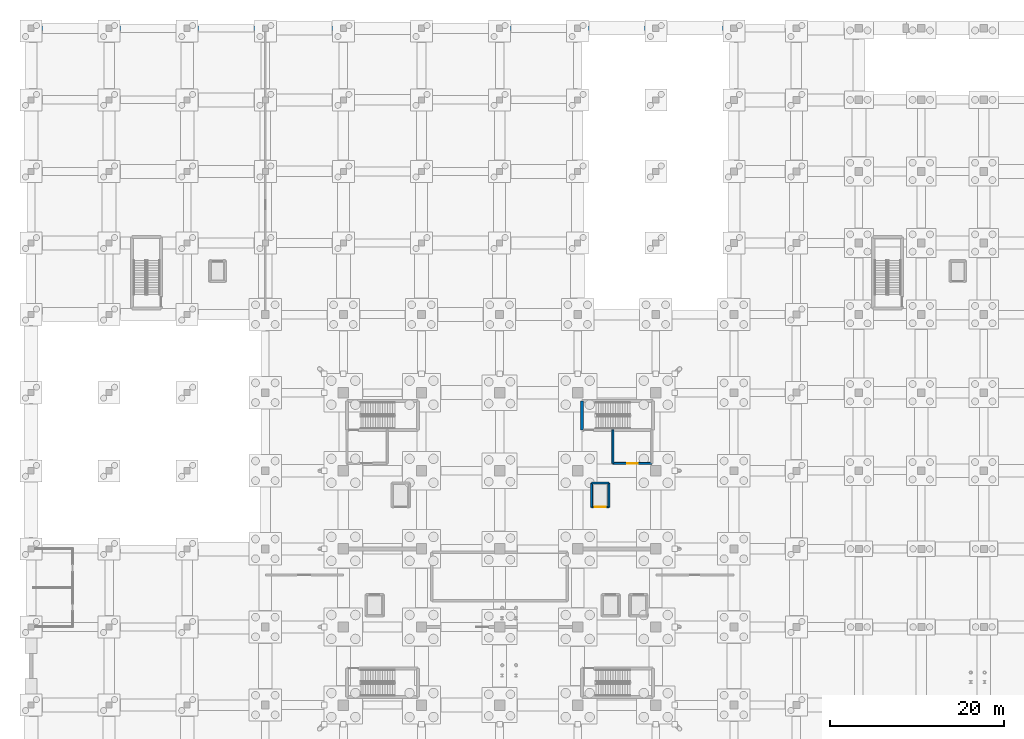
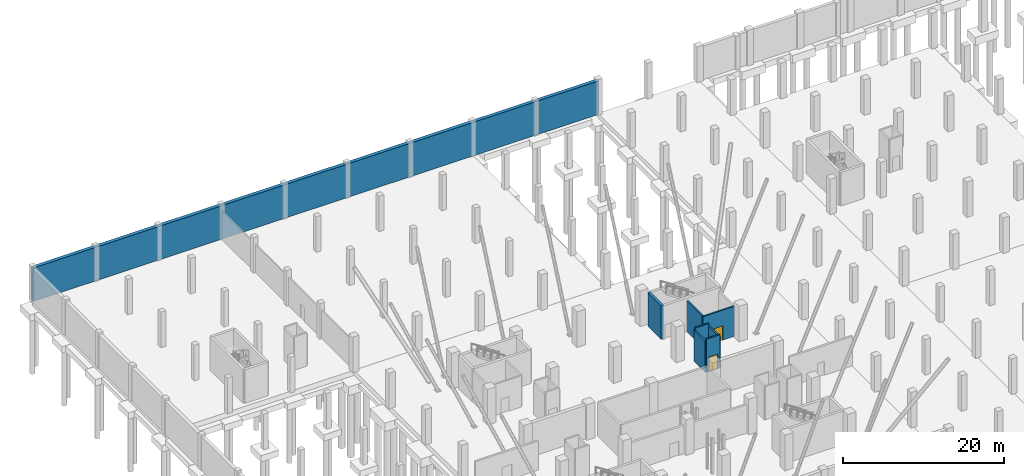
# One storey, part 28 of 42: 8 walls, 2 doors, 2 openings.
"""IFC4 building model written with IfcOpenShell, lengths in metres."""

from ifc_helpers import new_model, si_unit, direction, frame, frame_2d, origin, place, context, subcontext, project, spatial, rectangle, extrude, material, layer, layer_set, type_object, element, fill, save


model = new_model("IFC4")

# Units and contexts
model_context = context("Model", 3, precision=1e-05, world=origin(), true_north=direction((0.0, 1.0)))
body_context = subcontext(model_context, "Body", "Model", "MODEL_VIEW")
ifc_project = project(units=[si_unit("LENGTHUNIT", "METRE"), si_unit("AREAUNIT", "SQUARE_METRE"), si_unit("VOLUMEUNIT", "CUBIC_METRE"), si_unit("PLANEANGLEUNIT", "RADIAN"), si_unit("MASSUNIT", "GRAM", prefix="KILO")], contexts=[model_context])

# Site, building, storey
site_placement = place(None, origin())
site = spatial("IfcSite", under=ifc_project, at=site_placement, CompositionType="ELEMENT")
building_placement = place(site_placement, origin())
building = spatial("IfcBuilding", under=site, at=building_placement, Name="Sundgate Opera House", CompositionType="ELEMENT")
storey_placement = place(building_placement, frame((0.0, 0.0, -5.39990234375)))
storey = spatial("IfcBuildingStorey", under=building, at=storey_placement, Name="B01", CompositionType="ELEMENT", Elevation=-5.39990234375)

# Wall
ifc_material_1 = material(Name="Concrete C40/50", Category="concrete")
ifc_layer_1 = layer(ifc_material_1, 0.35009765625)
ifc_layer_set_1 = layer_set([ifc_layer_1], Name="Concrete C40/50")
wall_type_1 = type_object("IfcWallType", Name="WL-CORE-350", PredefinedType="SHEAR", material=ifc_layer_set_1)
wall_1_placement = place(storey_placement, frame((63.510009765625, 73.7099609375, 0.0), z_axis=(0.0, 0.0, 1.0), x_axis=(0.0, 1.0, 0.0)))
element("IfcWall", 1, at=wall_1_placement, inside=storey, type_object=wall_type_1, Name="B01 C4 West Shaft Wall", PredefinedType="SHEAR", context=body_context, shape_type="SweptSolid", body=[
    extrude(rectangle(XDim=3.330078125, YDim=0.35009765625, at=frame_2d((1.6650390625, 0.0))), origin(), (0.0, 0.0, 1.0), 5.079833984375),
])

# Wall, opening, door
ifc_material_2 = material(Name="Fire-rated gypsum and mineral-wool shaft partition", Category="gypsum")
ifc_layer_2 = layer(ifc_material_2, 0.219970703125)
ifc_layer_set_2 = layer_set([ifc_layer_2], Name="Fire-rated gypsum and mineral-wool shaft partition")
wall_type_2 = type_object("IfcWallType", Name="WL-INT-FIRE-220", PredefinedType="PARTITIONING", material=ifc_layer_set_2)
wall_2_placement = place(storey_placement, frame((67.050048828125, 69.85009765625, 0.0), z_axis=(0.0, 0.0, 1.0), x_axis=(1.0, 0.0, 0.0)))
wall_2 = element("IfcWall", 2, at=wall_2_placement, inside=storey, type_object=wall_type_2, Name="B01 C4 Firefighting Lobby South Wall", PredefinedType="PARTITIONING", context=body_context, shape_type="SweptSolid", body=[
    extrude(rectangle(XDim=4.5, YDim=0.219970703125, at=frame_2d((2.25, 0.0))), origin(), (0.0, 0.0, 1.0), 4.554931640625),
])
opening_1_placement = place(wall_2_placement, frame((1.64990234375, 0.0, 0.0)))
opening_1 = element("IfcOpeningElement", 3, at=opening_1_placement, cuts=wall_2, Name="Opening DI02", PredefinedType="OPENING", context=body_context, shape_type="SweptSolid", body=[
    extrude(rectangle(XDim=1.199951171875, YDim=2.179931640625, at=frame_2d((0.60009765625, 1.08984375))), frame((0.0, 0.119873046875, 0.0), z_axis=(0.0, -1.0, 0.0), x_axis=(1.0, 0.0, 0.0)), (0.0, 0.0, 1.0), 0.239990234375),
])
ifc_material_3 = material(Name="Acoustic hardwood timber and steel core", Category="steel")
door_type_1 = type_object("IfcDoorType", Name="DR-FFLOB-1200x2180", OperationType="NOTDEFINED", PredefinedType="DOOR", material=ifc_material_3)
door_1_placement = place(opening_1_placement, origin())
door_1 = element("IfcDoor", 4, at=door_1_placement, inside=storey, type_object=door_type_1, Name="B01 C4 Firefighting Lobby Door D0057", OperationType="SINGLE_SWING_LEFT", OverallHeight=2.179931640625, OverallWidth=1.199951171875, PredefinedType="DOOR", context=body_context, shape_type="SweptSolid", body=[
    extrude(rectangle(XDim=1.199951171875, YDim=2.179931640625, at=frame_2d((0.60009765625, 1.08984375))), frame((0.0, 0.02490234375, 0.0), z_axis=(0.0, -1.0, 0.0), x_axis=(1.0, 0.0, 0.0)), (0.0, 0.0, 1.0), 0.050048828125),
])
fill(opening_1, door_1)

# Wall
wall_3_placement = place(storey_placement, frame((67.050048828125, 69.85009765625, 0.0), z_axis=(0.0, 0.0, 1.0), x_axis=(0.0, 1.0, 0.0)))
element("IfcWall", 5, at=wall_3_placement, inside=storey, type_object=wall_type_2, Name="B01 C4 Firefighting Lobby West Wall", PredefinedType="PARTITIONING", context=body_context, shape_type="SweptSolid", body=[
    extrude(rectangle(XDim=3.85986328125, YDim=0.219970703125, at=frame_2d((1.929931640625, 0.0))), origin(), (0.0, 0.0, 1.0), 4.684814453125),
])

# Wall, opening, door
wall_4_placement = place(storey_placement, frame((64.610107421875, 64.81005859375, 0.0), z_axis=(0.0, 0.0, 1.0), x_axis=(1.0, 0.0, 0.0)))
wall_4 = element("IfcWall", 6, at=wall_4_placement, inside=storey, type_object=wall_type_2, Name="B01 FF2 South Shaft Wall", PredefinedType="PARTITIONING", context=body_context, shape_type="SweptSolid", body=[
    extrude(rectangle(XDim=1.97998046875, YDim=0.219970703125, at=frame_2d((0.989990234375, 0.0))), origin(), (0.0, 0.0, 1.0), 5.044921875),
])
opening_2_placement = place(wall_4_placement, frame((0.340087890625, 0.0, 0.0)))
opening_2 = element("IfcOpeningElement", 7, at=opening_2_placement, cuts=wall_4, Name="Opening LD2", PredefinedType="OPENING", context=body_context, shape_type="SweptSolid", body=[
    extrude(rectangle(XDim=1.300048828125, YDim=2.199951171875, at=frame_2d((0.64990234375, 1.10009765625))), frame((0.0, 0.119873046875, 0.0), z_axis=(0.0, -1.0, 0.0), x_axis=(1.0, 0.0, 0.0)), (0.0, 0.0, 1.0), 0.239990234375),
])
ifc_material_4 = material(Name="Brushed stainless steel EN 1.4301", Category="steel")
door_type_2 = type_object("IfcDoorType", Name="DR-LIFT-1300x2200", OperationType="DOUBLE_DOOR_SLIDING", PredefinedType="DOOR", material=ifc_material_4)
door_2_placement = place(opening_2_placement, origin())
door_2 = element("IfcDoor", 8, at=door_2_placement, inside=storey, type_object=door_type_2, Name="B01 FF2 Landing Door D0136", OperationType="DOUBLE_DOOR_SLIDING", OverallHeight=2.199951171875, OverallWidth=1.300048828125, PredefinedType="DOOR", context=body_context, shape_type="SweptSolid", body=[
    extrude(rectangle(XDim=1.300048828125, YDim=2.199951171875, at=frame_2d((0.64990234375, 1.10009765625))), frame((0.0, 0.02490234375, 0.0), z_axis=(0.0, -1.0, 0.0), x_axis=(1.0, 0.0, 0.0)), (0.0, 0.0, 1.0), 0.050048828125),
])
fill(opening_2, door_2)

# Walls
wall_5_placement = place(storey_placement, frame((64.610107421875, 67.590087890625, 0.0), z_axis=(0.0, 0.0, 1.0), x_axis=(1.0, 0.0, 0.0)))
element("IfcWall", 9, at=wall_5_placement, inside=storey, type_object=wall_type_2, Name="B01 FF2 North Shaft Wall", PredefinedType="PARTITIONING", context=body_context, shape_type="SweptSolid", body=[
    extrude(rectangle(XDim=1.97998046875, YDim=0.219970703125, at=frame_2d((0.989990234375, 0.0))), origin(), (0.0, 0.0, 1.0), 5.044921875),
])
for number, where, z_axis, x_axis, name in (
    (10, (64.610107421875, 64.81005859375, 0.0), (0.0, 0.0, 1.0), (0.0, 1.0, 0.0), "B01 FF2 West Shaft Wall"),
    (11, (66.590087890625, 64.81005859375, 0.0), (0.0, 0.0, 1.0), (0.0, 1.0, 0.0), "B01 FF2 East Shaft Wall"),
):
    element("IfcWall", number, at=place(storey_placement, frame(where, z_axis=z_axis, x_axis=x_axis)), inside=storey, type_object=wall_type_2, Name=name, PredefinedType="PARTITIONING", context=body_context, shape_type="SweptSolid", body=[
        extrude(rectangle(XDim=2.780029296875, YDim=0.219970703125, at=frame_2d((1.39013671875, 0.0))), origin(), (0.0, 0.0, 1.0), 4.71484375),
    ])
ifc_material_5 = material(Name="Concrete C35/45", Category="concrete")
ifc_layer_3 = layer(ifc_material_5, 0.5)
ifc_layer_set_3 = layer_set([ifc_layer_3], Name="Concrete C35/45")
wall_type_3 = type_object("IfcWallType", Name="WL-RET-500", PredefinedType="USERDEFINED", material=ifc_layer_set_3)
wall_6_placement = place(storey_placement, frame((0.0, 120.0, 0.0), z_axis=(0.0, 0.0, 1.0), x_axis=(1.0, 0.0, 0.0)))
element("IfcWall", 12, at=wall_6_placement, inside=storey, type_object=wall_type_3, Name="B01 Perimeter Retaining Wall W0003", ObjectType="RETAINING WALL", PredefinedType="USERDEFINED", context=body_context, shape_type="SweptSolid", body=[
    extrude(rectangle(XDim=81.0, YDim=0.5, at=frame_2d((40.5, 0.0))), origin(), (0.0, 0.0, 1.0), 5.079833984375),
])

save(model, "model.ifc")
